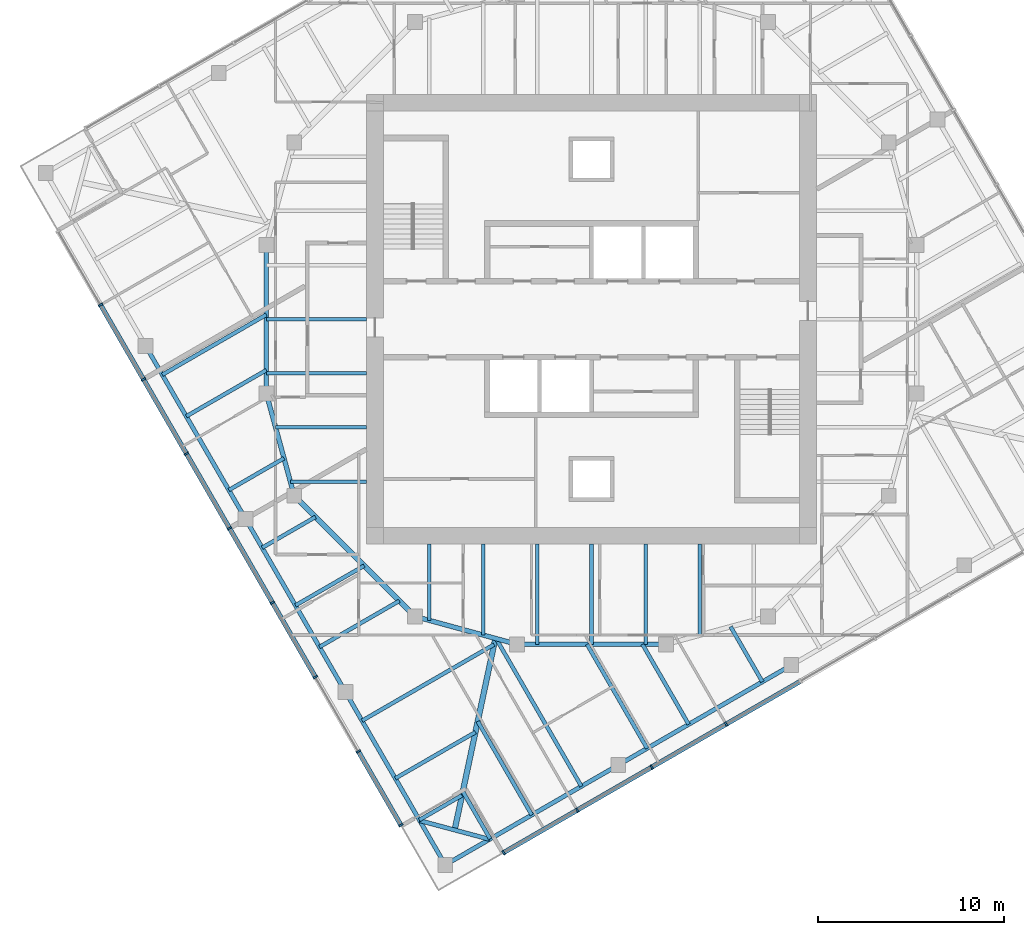
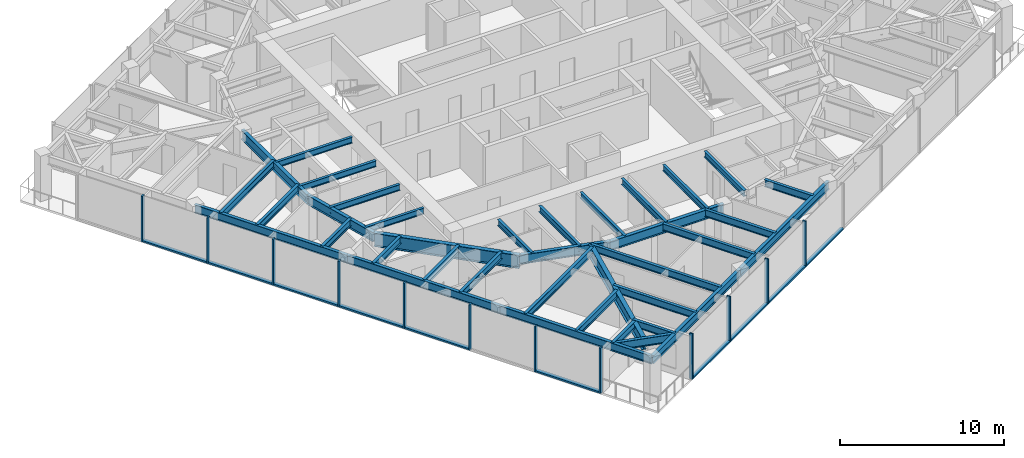
# One storey, part 2 of 13: 37 beams, 22 members, 2 elements without a shape of their own.
"""IFC4 building model written with IfcOpenShell, lengths in metres."""

from ifc_helpers import new_model, si_unit, direction, frame, origin, origin_2d, place, context, subcontext, project, spatial, rectangle, i_section, extrude, material, material_profile, profile_set, type_object, element, aggregate, save


model = new_model("IFC4")

# Units and contexts
model_context = context("Model", 3, precision=1e-05, world=origin(), true_north=direction((0.0, 1.0)))
body_context = subcontext(model_context, "Body", "Model", "MODEL_VIEW")
ifc_project = project(units=[si_unit("LENGTHUNIT", "METRE"), si_unit("AREAUNIT", "SQUARE_METRE"), si_unit("VOLUMEUNIT", "CUBIC_METRE"), si_unit("PLANEANGLEUNIT", "RADIAN"), si_unit("MASSUNIT", "GRAM", prefix="KILO")], contexts=[model_context])

# Site, building, storey
site_placement = place(None, origin())
site = spatial("IfcSite", under=ifc_project, at=site_placement, CompositionType="ELEMENT")
building_placement = place(site_placement, origin())
building = spatial("IfcBuilding", under=site, at=building_placement, Name="Torsade Residences", CompositionType="ELEMENT")
storey_placement = place(building_placement, frame((0.0, 0.0, 215.0)))
storey = spatial("IfcBuildingStorey", under=building, at=storey_placement, Name="L59", CompositionType="ELEMENT", Elevation=215.0)

# Beams
ifc_material_1 = material(Name="Steel grade 300", Category="steel")
ifc_material_profile_1 = material_profile(ifc_material_1, i_section(OverallWidth=0.300048828125, OverallDepth=0.89990234375, WebThickness=0.011962890625, FlangeThickness=0.02490234375, at=origin_2d()), Name="900WB175")
ifc_profile_set_1 = profile_set([ifc_material_profile_1], Name="Steel grade 300")
beam_type_1 = type_object("IfcBeamType", Name="CORNER GIRDER 900WB175", PredefinedType="BEAM", material=ifc_profile_set_1)
beam_1_placement = place(storey_placement, frame((32.6337890625, 2.5087890625, 2.800048828125), z_axis=(0.20806427425, 0.978115155685, 0.0), x_axis=(-0.978115155685, 0.20806427425, 0.0)))
element("IfcBeam", 1, at=beam_1_placement, inside=storey, type_object=beam_type_1, Name="Corner girder 01 L60", PredefinedType="BEAM", context=body_context, shape_type="SweptSolid", body=[
    extrude(i_section(OverallWidth=0.300048828125, OverallDepth=0.89990234375, WebThickness=0.011962890625, FlangeThickness=0.02490234375, at=origin_2d()), origin(), (0.0, 0.0, 1.0), 10.541748046875),
])
ifc_material_2 = material(Name="Steel grade 300", Category="steel")
ifc_material_profile_2 = material_profile(ifc_material_2, i_section(OverallWidth=0.22802734375, OverallDepth=0.60205078125, WebThickness=0.010498046875, FlangeThickness=0.014892578125, FilletRadius=0.013916015625, at=origin_2d()), Name="610UB101")
ifc_profile_set_2 = profile_set([ifc_material_profile_2], Name="Steel grade 300")
beam_type_2 = type_object("IfcBeamType", Name="CORNER TRIMMER 610UB101", PredefinedType="BEAM", material=ifc_profile_set_2)
beam_2_placement = place(storey_placement, frame((34.511962890625, 2.00537109375, 2.948974609375), z_axis=(-0.965924794002, 0.258822897619, 0.0), x_axis=(-0.258822897619, -0.965924794002, 0.0)))
element("IfcBeam", 2, at=beam_2_placement, inside=storey, type_object=beam_type_2, Name="Corner trimmer 01 L60", PredefinedType="BEAM", context=body_context, shape_type="SweptSolid", body=[
    extrude(i_section(OverallWidth=0.22802734375, OverallDepth=0.60205078125, WebThickness=0.010498046875, FlangeThickness=0.014892578125, FilletRadius=0.013916015625, at=origin_2d()), origin(), (0.0, 0.0, 1.0), 3.88916015625),
])
ifc_material_3 = material(Name="Steel grade 300", Category="steel")
ifc_material_profile_3 = material_profile(ifc_material_3, i_section(OverallWidth=0.22900390625, OverallDepth=0.612060546875, WebThickness=0.011962890625, FlangeThickness=0.01953125, FilletRadius=0.013916015625, at=origin_2d()), Name="610UB125")
ifc_profile_set_3 = profile_set([ifc_material_profile_3], Name="Steel grade 300")
beam_type_3 = type_object("IfcBeamType", Name="EDGE BEAM 610UB125", PredefinedType="SPANDREL", material=ifc_profile_set_3)
for number, where, z_axis, x_axis, name in (
    (3, (32.13037109375, 0.63037109375, 2.944091796875), (0.866026365697, 0.499998333915, 0.0), (-0.499998333915, 0.866026365697, 0.0), "Edge beam 01 L60"),
    (4, (41.440185546875, 6.00537109375, 2.944091796875), (0.866026365697, 0.499998333915, 0.0), (-0.499998333915, 0.866026365697, 0.0), "Edge beam 02 L60"),
    (5, (16.00537109375, 28.559814453125, 2.944091796875), (0.499998333915, -0.866026365697, 0.0), (0.866026365697, 0.499998333915, 0.0), "Edge beam 14 L60"),
    (6, (21.38037109375, 19.25, 2.944091796875), (0.499998333915, -0.866026365697, 0.0), (0.866026365697, 0.499998333915, 0.0), "Edge beam 15 L60"),
    (7, (26.75537109375, 9.940185546875, 2.944091796875), (0.499998333915, -0.866026365697, 0.0), (0.866026365697, 0.499998333915, 0.0), "Edge beam 16 L60"),
):
    element("IfcBeam", number, at=place(storey_placement, frame(where, z_axis=z_axis, x_axis=x_axis)), inside=storey, type_object=beam_type_3, Name=name, PredefinedType="SPANDREL", context=body_context, shape_type="SweptSolid", body=[
        extrude(i_section(OverallWidth=0.22900390625, OverallDepth=0.612060546875, WebThickness=0.011962890625, FlangeThickness=0.01953125, FilletRadius=0.013916015625, at=origin_2d()), origin(), (0.0, 0.0, 1.0), 10.75),
    ])

# Curtain wall, members
ifc_material_4 = material(Name="Aluminium and glass", Category="aluminium")
curtain_wall_type = type_object("IfcCurtainWallType", Name="FRITTED GLASS CURTAIN WALL HIGH ZONE", PredefinedType="NOTDEFINED", material=ifc_material_4)
curtain_wall_1_placement = place(storey_placement, origin())
curtain_wall_1 = element("IfcCurtainWall", 8, at=curtain_wall_1_placement, inside=storey, type_object=curtain_wall_type, Name="Curtain wall L59 face 1", PredefinedType="NOTDEFINED")
ifc_material_5 = material(Name="Aluminium mullion", Category="aluminium")
ifc_material_profile_4 = material_profile(ifc_material_5, rectangle(XDim=0.25, YDim=0.10009765625, at=origin_2d()), Name="HIGH ZONE CURTAIN WALL MULLION 250x100")
ifc_profile_set_4 = profile_set([ifc_material_profile_4], Name="Aluminium mullion")
member_type_1 = type_object("IfcMemberType", Name="HIGH ZONE CURTAIN WALL MULLION 250x100", PredefinedType="MULLION", material=ifc_profile_set_4)
member_1_placement = place(storey_placement, frame((35.271728515625, 1.289306640625, 0.0), z_axis=(0.0, 0.0, 1.0), x_axis=(-0.499999999305, 0.866025404186, 0.0)))
member_1 = element("IfcMember", 9, at=member_1_placement, type_object=member_type_1, Name="Mullion 1", PredefinedType="MULLION", context=body_context, shape_type="SweptSolid", body=[
    extrude(rectangle(XDim=0.25, YDim=0.10009765625, at=origin_2d()), origin(), (0.0, 0.0, 1.0), 3.39990234375),
])
member_2_placement = place(storey_placement, frame((39.23388671875, 3.576904296875, 0.0), z_axis=(0.0, 0.0, 1.0), x_axis=(-0.499999999305, 0.866025404186, 0.0)))
member_2 = element("IfcMember", 10, at=member_2_placement, type_object=member_type_1, Name="Mullion 2", PredefinedType="MULLION", context=body_context, shape_type="SweptSolid", body=[
    extrude(rectangle(XDim=0.25, YDim=0.10009765625, at=origin_2d()), origin(), (0.0, 0.0, 1.0), 3.39990234375),
])
member_3_placement = place(storey_placement, frame((43.2392578125, 5.889404296875, 0.0), z_axis=(0.0, 0.0, 1.0), x_axis=(-0.499999999305, 0.866025404186, 0.0)))
member_3 = element("IfcMember", 11, at=member_3_placement, type_object=member_type_1, Name="Mullion 3", PredefinedType="MULLION", context=body_context, shape_type="SweptSolid", body=[
    extrude(rectangle(XDim=0.25, YDim=0.10009765625, at=origin_2d()), origin(), (0.0, 0.0, 1.0), 3.39990234375),
])
member_4_placement = place(storey_placement, frame((47.24462890625, 8.201904296875, 0.0), z_axis=(0.0, 0.0, 1.0), x_axis=(-0.499999999305, 0.866025404186, 0.0)))
member_4 = element("IfcMember", 12, at=member_4_placement, type_object=member_type_1, Name="Mullion 4", PredefinedType="MULLION", context=body_context, shape_type="SweptSolid", body=[
    extrude(rectangle(XDim=0.25, YDim=0.10009765625, at=origin_2d()), origin(), (0.0, 0.0, 1.0), 3.39990234375),
])

curtain_wall_2_placement = place(storey_placement, origin())
curtain_wall_2 = element("IfcCurtainWall", 13, at=curtain_wall_2_placement, inside=storey, type_object=curtain_wall_type, Name="Curtain wall L59 face 10", PredefinedType="NOTDEFINED")
member_5_placement = place(storey_placement, frame((13.576904296875, 30.76611328125, 0.0), z_axis=(0.0, 0.0, 1.0), x_axis=(0.866025404186, 0.499999999305, 0.0)))
member_5 = element("IfcMember", 14, at=member_5_placement, type_object=member_type_1, Name="Mullion 2", PredefinedType="MULLION", context=body_context, shape_type="SweptSolid", body=[
    extrude(rectangle(XDim=0.25, YDim=0.10009765625, at=origin_2d()), origin(), (0.0, 0.0, 1.0), 3.39990234375),
])
member_6_placement = place(storey_placement, frame((15.889404296875, 26.7607421875, 0.0), z_axis=(0.0, 0.0, 1.0), x_axis=(0.866025404186, 0.499999999305, 0.0)))
member_6 = element("IfcMember", 15, at=member_6_placement, type_object=member_type_1, Name="Mullion 3", PredefinedType="MULLION", context=body_context, shape_type="SweptSolid", body=[
    extrude(rectangle(XDim=0.25, YDim=0.10009765625, at=origin_2d()), origin(), (0.0, 0.0, 1.0), 3.39990234375),
])
member_7_placement = place(storey_placement, frame((18.201904296875, 22.75537109375, 0.0), z_axis=(0.0, 0.0, 1.0), x_axis=(0.866025404186, 0.499999999305, 0.0)))
member_7 = element("IfcMember", 16, at=member_7_placement, type_object=member_type_1, Name="Mullion 4", PredefinedType="MULLION", context=body_context, shape_type="SweptSolid", body=[
    extrude(rectangle(XDim=0.25, YDim=0.10009765625, at=origin_2d()), origin(), (0.0, 0.0, 1.0), 3.39990234375),
])
member_8_placement = place(storey_placement, frame((20.514404296875, 18.75, 0.0), z_axis=(0.0, 0.0, 1.0), x_axis=(0.866025404186, 0.499999999305, 0.0)))
member_8 = element("IfcMember", 17, at=member_8_placement, type_object=member_type_1, Name="Mullion 5", PredefinedType="MULLION", context=body_context, shape_type="SweptSolid", body=[
    extrude(rectangle(XDim=0.25, YDim=0.10009765625, at=origin_2d()), origin(), (0.0, 0.0, 1.0), 3.39990234375),
])
member_9_placement = place(storey_placement, frame((22.826904296875, 14.74462890625, 0.0), z_axis=(0.0, 0.0, 1.0), x_axis=(0.866025404186, 0.499999999305, 0.0)))
member_9 = element("IfcMember", 18, at=member_9_placement, type_object=member_type_1, Name="Mullion 6", PredefinedType="MULLION", context=body_context, shape_type="SweptSolid", body=[
    extrude(rectangle(XDim=0.25, YDim=0.10009765625, at=origin_2d()), origin(), (0.0, 0.0, 1.0), 3.39990234375),
])
member_10_placement = place(storey_placement, frame((25.139404296875, 10.7392578125, 0.0), z_axis=(0.0, 0.0, 1.0), x_axis=(0.866025404186, 0.499999999305, 0.0)))
member_10 = element("IfcMember", 19, at=member_10_placement, type_object=member_type_1, Name="Mullion 7", PredefinedType="MULLION", context=body_context, shape_type="SweptSolid", body=[
    extrude(rectangle(XDim=0.25, YDim=0.10009765625, at=origin_2d()), origin(), (0.0, 0.0, 1.0), 3.39990234375),
])
member_11_placement = place(storey_placement, frame((27.451904296875, 6.73388671875, 0.0), z_axis=(0.0, 0.0, 1.0), x_axis=(0.866025404186, 0.499999999305, 0.0)))
member_11 = element("IfcMember", 20, at=member_11_placement, type_object=member_type_1, Name="Mullion 8", PredefinedType="MULLION", context=body_context, shape_type="SweptSolid", body=[
    extrude(rectangle(XDim=0.25, YDim=0.10009765625, at=origin_2d()), origin(), (0.0, 0.0, 1.0), 3.39990234375),
])
member_12_placement = place(storey_placement, frame((29.739501953125, 2.771728515625, 0.0), z_axis=(0.0, 0.0, 1.0), x_axis=(0.866025404186, 0.499999999305, 0.0)))
member_12 = element("IfcMember", 21, at=member_12_placement, type_object=member_type_1, Name="Mullion 9", PredefinedType="MULLION", context=body_context, shape_type="SweptSolid", body=[
    extrude(rectangle(XDim=0.25, YDim=0.10009765625, at=origin_2d()), origin(), (0.0, 0.0, 1.0), 3.39990234375),
])

# Member
ifc_material_6 = material(Name="Aluminium transom", Category="aluminium")
ifc_material_profile_5 = material_profile(ifc_material_6, rectangle(XDim=0.25, YDim=0.1201171875, at=origin_2d()), Name="HIGH ZONE CURTAIN WALL TRANSOM 250x120")
ifc_profile_set_5 = profile_set([ifc_material_profile_5], Name="Aluminium transom")
member_type_2 = type_object("IfcMemberType", Name="HIGH ZONE CURTAIN WALL TRANSOM 250x120", PredefinedType="USERDEFINED", material=ifc_profile_set_5)
member_13_placement = place(storey_placement, frame((35.315185546875, 1.314453125, 0.06005859375), z_axis=(0.866022053326, 0.50000580312, 0.0), x_axis=(-0.50000580312, 0.866022053326, 0.0)))
member_13 = element("IfcMember", 22, at=member_13_placement, type_object=member_type_2, Name="Transom 1.1", ObjectType="TRANSOM", PredefinedType="USERDEFINED", context=body_context, shape_type="SweptSolid", body=[
    extrude(rectangle(XDim=0.25, YDim=0.1201171875, at=origin_2d()), origin(), (0.0, 0.0, 1.0), 4.47509765625),
])

member_14_placement = place(storey_placement, frame((39.277099609375, 3.601806640625, 0.06005859375), z_axis=(0.866016678684, 0.500015112013, 0.0), x_axis=(-0.500015112013, 0.866016678684, 0.0)))
member_14 = element("IfcMember", 23, at=member_14_placement, type_object=member_type_2, Name="Transom 2.1", ObjectType="TRANSOM", PredefinedType="USERDEFINED", context=body_context, shape_type="SweptSolid", body=[
    extrude(rectangle(XDim=0.25, YDim=0.1201171875, at=origin_2d()), origin(), (0.0, 0.0, 1.0), 4.525146484375),
])

member_15_placement = place(storey_placement, frame((43.282470703125, 5.914306640625, 0.06005859375), z_axis=(0.866016678684, 0.500015112013, 0.0), x_axis=(-0.500015112013, 0.866016678684, 0.0)))
member_15 = element("IfcMember", 24, at=member_15_placement, type_object=member_type_2, Name="Transom 3.1", ObjectType="TRANSOM", PredefinedType="USERDEFINED", context=body_context, shape_type="SweptSolid", body=[
    extrude(rectangle(XDim=0.25, YDim=0.1201171875, at=origin_2d()), origin(), (0.0, 0.0, 1.0), 4.525146484375),
])

member_16_placement = place(storey_placement, frame((47.287841796875, 8.226806640625, 0.06005859375), z_axis=(0.866016678684, 0.500015112013, 0.0), x_axis=(-0.500015112013, 0.866016678684, 0.0)))
member_16 = element("IfcMember", 25, at=member_16_placement, type_object=member_type_2, Name="Transom 4.1", ObjectType="TRANSOM", PredefinedType="USERDEFINED", context=body_context, shape_type="SweptSolid", body=[
    extrude(rectangle(XDim=0.25, YDim=0.1201171875, at=origin_2d()), origin(), (0.0, 0.0, 1.0), 4.525146484375),
])

aggregate(curtain_wall_1, [member_1, member_2, member_3, member_4, member_13, member_14, member_15, member_16])

member_17_placement = place(storey_placement, frame((13.601806640625, 30.722900390625, 0.06005859375), z_axis=(0.500015112013, -0.866016678684, 0.0), x_axis=(0.866016678684, 0.500015112013, 0.0)))
member_17 = element("IfcMember", 26, at=member_17_placement, type_object=member_type_2, Name="Transom 2.1", ObjectType="TRANSOM", PredefinedType="USERDEFINED", context=body_context, shape_type="SweptSolid", body=[
    extrude(rectangle(XDim=0.25, YDim=0.1201171875, at=origin_2d()), origin(), (0.0, 0.0, 1.0), 4.525146484375),
])

member_18_placement = place(storey_placement, frame((15.914306640625, 26.717529296875, 0.06005859375), z_axis=(0.500015112013, -0.866016678684, 0.0), x_axis=(0.866016678684, 0.500015112013, 0.0)))
member_18 = element("IfcMember", 27, at=member_18_placement, type_object=member_type_2, Name="Transom 3.1", ObjectType="TRANSOM", PredefinedType="USERDEFINED", context=body_context, shape_type="SweptSolid", body=[
    extrude(rectangle(XDim=0.25, YDim=0.1201171875, at=origin_2d()), origin(), (0.0, 0.0, 1.0), 4.525146484375),
])

member_19_placement = place(storey_placement, frame((18.226806640625, 22.712158203125, 0.06005859375), z_axis=(0.500015112013, -0.866016678684, 0.0), x_axis=(0.866016678684, 0.500015112013, 0.0)))
member_19 = element("IfcMember", 28, at=member_19_placement, type_object=member_type_2, Name="Transom 4.1", ObjectType="TRANSOM", PredefinedType="USERDEFINED", context=body_context, shape_type="SweptSolid", body=[
    extrude(rectangle(XDim=0.25, YDim=0.1201171875, at=origin_2d()), origin(), (0.0, 0.0, 1.0), 4.525146484375),
])

member_20_placement = place(storey_placement, frame((20.539306640625, 18.706787109375, 0.06005859375), z_axis=(0.500015112013, -0.866016678684, 0.0), x_axis=(0.866016678684, 0.500015112013, 0.0)))
member_20 = element("IfcMember", 29, at=member_20_placement, type_object=member_type_2, Name="Transom 5.1", ObjectType="TRANSOM", PredefinedType="USERDEFINED", context=body_context, shape_type="SweptSolid", body=[
    extrude(rectangle(XDim=0.25, YDim=0.1201171875, at=origin_2d()), origin(), (0.0, 0.0, 1.0), 4.525146484375),
])

member_21_placement = place(storey_placement, frame((22.851806640625, 14.701416015625, 0.06005859375), z_axis=(0.500015112013, -0.866016678684, 0.0), x_axis=(0.866016678684, 0.500015112013, 0.0)))
member_21 = element("IfcMember", 30, at=member_21_placement, type_object=member_type_2, Name="Transom 6.1", ObjectType="TRANSOM", PredefinedType="USERDEFINED", context=body_context, shape_type="SweptSolid", body=[
    extrude(rectangle(XDim=0.25, YDim=0.1201171875, at=origin_2d()), origin(), (0.0, 0.0, 1.0), 4.525146484375),
])

member_22_placement = place(storey_placement, frame((27.476806640625, 6.690673828125, 0.06005859375), z_axis=(0.50000580312, -0.866022053326, 0.0), x_axis=(0.866022053326, 0.50000580312, 0.0)))
member_22 = element("IfcMember", 31, at=member_22_placement, type_object=member_type_2, Name="Transom 8.1", ObjectType="TRANSOM", PredefinedType="USERDEFINED", context=body_context, shape_type="SweptSolid", body=[
    extrude(rectangle(XDim=0.25, YDim=0.1201171875, at=origin_2d()), origin(), (0.0, 0.0, 1.0), 4.47509765625),
])

aggregate(curtain_wall_2, [member_5, member_6, member_7, member_8, member_9, member_10, member_11, member_12, member_17, member_18, member_19, member_20, member_21, member_22])

# Beams
ifc_material_7 = material(Name="Steel grade 300", Category="steel")
ifc_material_profile_6 = material_profile(ifc_material_7, i_section(OverallWidth=0.18994140625, OverallDepth=0.4541015625, WebThickness=0.008544921875, FlangeThickness=0.0126953125, FilletRadius=0.011474609375, at=origin_2d()), Name="460UB67.1")
ifc_profile_set_6 = profile_set([ifc_material_profile_6], Name="Steel grade 300")
beam_type_4 = type_object("IfcBeamType", Name="INNER FLOOR BEAM 460UB67.1", PredefinedType="JOIST", material=ifc_profile_set_6)
beam_3_placement = place(storey_placement, frame((45.824951171875, 17.89990234375, 3.02294921875), z_axis=(0.0, -1.0, 0.0), x_axis=(1.0, 0.0, 0.0)))
element("IfcBeam", 32, at=beam_3_placement, inside=storey, type_object=beam_type_4, Name="Inner floor beam IS02 L60", PredefinedType="JOIST", context=body_context, shape_type="SweptSolid", body=[
    extrude(i_section(OverallWidth=0.18994140625, OverallDepth=0.4541015625, WebThickness=0.008544921875, FlangeThickness=0.0126953125, FilletRadius=0.011474609375, at=origin_2d()), origin(), (0.0, 0.0, 1.0), 4.902099609375),
])
for number, where, z_axis, x_axis, name in (
    (33, (42.91259765625, 17.89990234375, 3.02294921875), (0.0, -1.0, 0.0), (1.0, 0.0, 0.0), "Inner floor beam IS03 L60"),
    (34, (40.0, 17.89990234375, 3.02294921875), (0.0, -1.0, 0.0), (1.0, 0.0, 0.0), "Inner floor beam IS04 L60"),
    (35, (37.08740234375, 17.89990234375, 3.02294921875), (0.0, -1.0, 0.0), (1.0, 0.0, 0.0), "Inner floor beam IS05 L60"),
):
    element("IfcBeam", number, at=place(storey_placement, frame(where, z_axis=z_axis, x_axis=x_axis)), inside=storey, type_object=beam_type_4, Name=name, PredefinedType="JOIST", context=body_context, shape_type="SweptSolid", body=[
        extrude(i_section(OverallWidth=0.18994140625, OverallDepth=0.4541015625, WebThickness=0.008544921875, FlangeThickness=0.0126953125, FilletRadius=0.011474609375, at=origin_2d()), origin(), (0.0, 0.0, 1.0), 5.39990234375),
    ])
beam_4_placement = place(storey_placement, frame((34.175048828125, 17.89990234375, 3.02294921875), z_axis=(0.0, -1.0, 0.0), x_axis=(1.0, 0.0, 0.0)))
element("IfcBeam", 36, at=beam_4_placement, inside=storey, type_object=beam_type_4, Name="Inner floor beam IS06 L60", PredefinedType="JOIST", context=body_context, shape_type="SweptSolid", body=[
    extrude(i_section(OverallWidth=0.18994140625, OverallDepth=0.4541015625, WebThickness=0.008544921875, FlangeThickness=0.0126953125, FilletRadius=0.011474609375, at=origin_2d()), origin(), (0.0, 0.0, 1.0), 4.902099609375),
])
beam_5_placement = place(storey_placement, frame((31.262451171875, 17.89990234375, 3.02294921875), z_axis=(0.0, -1.0, 0.0), x_axis=(1.0, 0.0, 0.0)))
element("IfcBeam", 37, at=beam_5_placement, inside=storey, type_object=beam_type_4, Name="Inner floor beam IS07 L60", PredefinedType="JOIST", context=body_context, shape_type="SweptSolid", body=[
    extrude(i_section(OverallWidth=0.18994140625, OverallDepth=0.4541015625, WebThickness=0.008544921875, FlangeThickness=0.0126953125, FilletRadius=0.011474609375, at=origin_2d()), origin(), (0.0, 0.0, 1.0), 4.10791015625),
])
for number, where, z_axis, x_axis, name in (
    (38, (27.89990234375, 30.0, 3.02294921875), (-1.0, 0.0, 0.0), (0.0, -1.0, 0.0), "Inner floor beam IW04 L60"),
    (39, (27.89990234375, 27.08740234375, 3.02294921875), (-1.0, 0.0, 0.0), (0.0, -1.0, 0.0), "Inner floor beam IW05 L60"),
):
    element("IfcBeam", number, at=place(storey_placement, frame(where, z_axis=z_axis, x_axis=x_axis)), inside=storey, type_object=beam_type_4, Name=name, PredefinedType="JOIST", context=body_context, shape_type="SweptSolid", body=[
        extrude(i_section(OverallWidth=0.18994140625, OverallDepth=0.4541015625, WebThickness=0.008544921875, FlangeThickness=0.0126953125, FilletRadius=0.011474609375, at=origin_2d()), origin(), (0.0, 0.0, 1.0), 5.39990234375),
    ])
beam_6_placement = place(storey_placement, frame((27.89990234375, 24.175048828125, 3.02294921875), z_axis=(-1.0, 0.0, 0.0), x_axis=(0.0, -1.0, 0.0)))
element("IfcBeam", 40, at=beam_6_placement, inside=storey, type_object=beam_type_4, Name="Inner floor beam IW06 L60", PredefinedType="JOIST", context=body_context, shape_type="SweptSolid", body=[
    extrude(i_section(OverallWidth=0.18994140625, OverallDepth=0.4541015625, WebThickness=0.008544921875, FlangeThickness=0.0126953125, FilletRadius=0.011474609375, at=origin_2d()), origin(), (0.0, 0.0, 1.0), 4.902099609375),
])
beam_7_placement = place(storey_placement, frame((27.89990234375, 21.262451171875, 3.02294921875), z_axis=(-1.0, 0.0, 0.0), x_axis=(0.0, -1.0, 0.0)))
element("IfcBeam", 41, at=beam_7_placement, inside=storey, type_object=beam_type_4, Name="Inner floor beam IW07 L60", PredefinedType="JOIST", context=body_context, shape_type="SweptSolid", body=[
    extrude(i_section(OverallWidth=0.18994140625, OverallDepth=0.4541015625, WebThickness=0.008544921875, FlangeThickness=0.0126953125, FilletRadius=0.011474609375, at=origin_2d()), origin(), (0.0, 0.0, 1.0), 4.10791015625),
])
ifc_material_8 = material(Name="Steel grade 300", Category="steel")
ifc_material_profile_7 = material_profile(ifc_material_8, i_section(OverallWidth=0.300048828125, OverallDepth=1.0, WebThickness=0.01611328125, FlangeThickness=0.028076171875, at=origin_2d()), Name="1000WB215")
ifc_profile_set_7 = profile_set([ifc_material_profile_7], Name="Steel grade 300")
beam_type_5 = type_object("IfcBeamType", Name="RING CORNER GIRDER 1000WB215", PredefinedType="BEAM", material=ifc_profile_set_7)
beam_8_placement = place(storey_placement, frame((24.0, 20.5, 2.75), z_axis=(0.707106781187, -0.707106781187, 0.0), x_axis=(0.707106781187, 0.707106781187, 0.0)))
element("IfcBeam", 42, at=beam_8_placement, inside=storey, type_object=beam_type_5, Name="Ring girder IR11 L60", PredefinedType="BEAM", context=body_context, shape_type="SweptSolid", body=[
    extrude(i_section(OverallWidth=0.300048828125, OverallDepth=1.0, WebThickness=0.01611328125, FlangeThickness=0.028076171875, at=origin_2d()), origin(), (0.0, 0.0, 1.0), 9.1923828125),
])
ifc_material_9 = material(Name="Steel grade 300", Category="steel")
ifc_material_profile_8 = material_profile(ifc_material_9, i_section(OverallWidth=0.25, OverallDepth=0.699951171875, WebThickness=0.010009765625, FlangeThickness=0.02001953125, at=origin_2d()), Name="700WB130")
ifc_profile_set_8 = profile_set([ifc_material_profile_8], Name="Steel grade 300")
beam_type_6 = type_object("IfcBeamType", Name="RING GIRDER 700WB130", PredefinedType="BEAM", material=ifc_profile_set_8)
beam_9_placement = place(storey_placement, frame((22.5, 34.0, 2.89990234375), z_axis=(0.0, -1.0, 0.0), x_axis=(1.0, 0.0, 0.0)))
element("IfcBeam", 43, at=beam_9_placement, inside=storey, type_object=beam_type_6, Name="Ring girder IR09 L60", PredefinedType="BEAM", context=body_context, shape_type="SweptSolid", body=[
    extrude(i_section(OverallWidth=0.25, OverallDepth=0.699951171875, WebThickness=0.010009765625, FlangeThickness=0.02001953125, at=origin_2d()), origin(), (0.0, 0.0, 1.0), 8.0),
])
for number, where, z_axis, x_axis, name in (
    (44, (22.5, 26.0, 2.89990234375), (0.263117405792, -0.964763821238, 0.0), (0.964763821238, 0.263117405792, 0.0), "Ring girder IR10 L60"),
    (45, (30.5, 14.0, 2.89990234375), (0.964763821238, -0.263117405792, 0.0), (0.263117405792, 0.964763821238, 0.0), "Ring girder IR12 L60"),
):
    element("IfcBeam", number, at=place(storey_placement, frame(where, z_axis=z_axis, x_axis=x_axis)), inside=storey, type_object=beam_type_6, Name=name, PredefinedType="BEAM", context=body_context, shape_type="SweptSolid", body=[
        extrude(i_section(OverallWidth=0.25, OverallDepth=0.699951171875, WebThickness=0.010009765625, FlangeThickness=0.02001953125, at=origin_2d()), origin(), (0.0, 0.0, 1.0), 5.700927734375),
    ])
beam_10_placement = place(storey_placement, frame((36.0, 12.5, 2.89990234375), z_axis=(1.0, 0.0, 0.0), x_axis=(0.0, 1.0, 0.0)))
element("IfcBeam", 46, at=beam_10_placement, inside=storey, type_object=beam_type_6, Name="Ring girder IR13 L60", PredefinedType="BEAM", context=body_context, shape_type="SweptSolid", body=[
    extrude(i_section(OverallWidth=0.25, OverallDepth=0.699951171875, WebThickness=0.010009765625, FlangeThickness=0.02001953125, at=origin_2d()), origin(), (0.0, 0.0, 1.0), 8.0),
])
ifc_material_10 = material(Name="Steel grade 300", Category="steel")
ifc_material_profile_9 = material_profile(ifc_material_10, i_section(OverallWidth=0.208984375, OverallDepth=0.528076171875, WebThickness=0.009521484375, FlangeThickness=0.01318359375, FilletRadius=0.013916015625, at=origin_2d()), Name="530UB82.0")
ifc_profile_set_9 = profile_set([ifc_material_profile_9], Name="Steel grade 300")
beam_type_7 = type_object("IfcBeamType", Name="SECONDARY BEAM 530UB82.0", PredefinedType="JOIST", material=ifc_profile_set_9)
beam_11_placement = place(storey_placement, frame((34.548095703125, 2.0263671875, 2.986083984375), z_axis=(-0.500014013, 0.866017313224, 0.0), x_axis=(-0.866017313224, -0.500014013, 0.0)))
element("IfcBeam", 47, at=beam_11_placement, inside=storey, type_object=beam_type_7, Name="Floor beam FS01 L60", PredefinedType="JOIST", context=body_context, shape_type="SweptSolid", body=[
    extrude(i_section(OverallWidth=0.208984375, OverallDepth=0.528076171875, WebThickness=0.009521484375, FlangeThickness=0.01318359375, FilletRadius=0.013916015625, at=origin_2d()), origin(), (0.0, 0.0, 1.0), 2.94775390625),
])
beam_12_placement = place(storey_placement, frame((36.785400390625, 3.31787109375, 2.986083984375), z_axis=(-0.499990133118, 0.866031100357, 0.0), x_axis=(-0.866031100357, -0.499990133118, 0.0)))
element("IfcBeam", 48, at=beam_12_placement, inside=storey, type_object=beam_type_7, Name="Floor beam FS02 L60", PredefinedType="JOIST", context=body_context, shape_type="SweptSolid", body=[
    extrude(i_section(OverallWidth=0.208984375, OverallDepth=0.528076171875, WebThickness=0.009521484375, FlangeThickness=0.01318359375, FilletRadius=0.013916015625, at=origin_2d()), origin(), (0.0, 0.0, 1.0), 5.81591796875),
])
beam_13_placement = place(storey_placement, frame((39.45556640625, 4.859619140625, 2.986083984375), z_axis=(-0.500006393711, 0.866021712342, 0.0), x_axis=(-0.866021712342, -0.500006393711, 0.0)))
element("IfcBeam", 49, at=beam_13_placement, inside=storey, type_object=beam_type_7, Name="Floor beam FS03 L60", PredefinedType="JOIST", context=body_context, shape_type="SweptSolid", body=[
    extrude(i_section(OverallWidth=0.208984375, OverallDepth=0.528076171875, WebThickness=0.009521484375, FlangeThickness=0.01318359375, FilletRadius=0.013916015625, at=origin_2d()), origin(), (0.0, 0.0, 1.0), 9.1796875),
])
beam_14_placement = place(storey_placement, frame((42.991943359375, 6.9013671875, 2.986083984375), z_axis=(-0.500005767435, 0.866022073929, 0.0), x_axis=(-0.866022073929, -0.500005767435, 0.0)))
element("IfcBeam", 50, at=beam_14_placement, inside=storey, type_object=beam_type_7, Name="Floor beam FS04 L60", PredefinedType="JOIST", context=body_context, shape_type="SweptSolid", body=[
    extrude(i_section(OverallWidth=0.208984375, OverallDepth=0.528076171875, WebThickness=0.009521484375, FlangeThickness=0.01318359375, FilletRadius=0.013916015625, at=origin_2d()), origin(), (0.0, 0.0, 1.0), 6.46484375),
])
beam_15_placement = place(storey_placement, frame((45.22900390625, 8.19287109375, 2.986083984375), z_axis=(-0.499977414361, 0.866038443216, 0.0), x_axis=(-0.866038443216, -0.499977414361, 0.0)))
element("IfcBeam", 51, at=beam_15_placement, inside=storey, type_object=beam_type_7, Name="Floor beam FS05 L60", PredefinedType="JOIST", context=body_context, shape_type="SweptSolid", body=[
    extrude(i_section(OverallWidth=0.208984375, OverallDepth=0.528076171875, WebThickness=0.009521484375, FlangeThickness=0.01318359375, FilletRadius=0.013916015625, at=origin_2d()), origin(), (0.0, 0.0, 1.0), 4.973388671875),
])
beam_16_placement = place(storey_placement, frame((49.198486328125, 10.484619140625, 2.986083984375), z_axis=(-0.500041249073, 0.866001587311, 0.0), x_axis=(-0.866001587311, -0.500041249073, 0.0)))
element("IfcBeam", 52, at=beam_16_placement, inside=storey, type_object=beam_type_7, Name="Floor beam FS06 L60", PredefinedType="JOIST", context=body_context, shape_type="SweptSolid", body=[
    extrude(i_section(OverallWidth=0.208984375, OverallDepth=0.528076171875, WebThickness=0.009521484375, FlangeThickness=0.01318359375, FilletRadius=0.013916015625, at=origin_2d()), origin(), (0.0, 0.0, 1.0), 3.425048828125),
])
beam_17_placement = place(storey_placement, frame((16.9013671875, 27.008056640625, 2.986083984375), z_axis=(0.866022073929, 0.500005767435, 0.0), x_axis=(-0.500005767435, 0.866022073929, 0.0)))
element("IfcBeam", 53, at=beam_17_placement, inside=storey, type_object=beam_type_7, Name="Floor beam FW04 L60", PredefinedType="JOIST", context=body_context, shape_type="SweptSolid", body=[
    extrude(i_section(OverallWidth=0.208984375, OverallDepth=0.528076171875, WebThickness=0.009521484375, FlangeThickness=0.01318359375, FilletRadius=0.013916015625, at=origin_2d()), origin(), (0.0, 0.0, 1.0), 6.46484375),
])
beam_18_placement = place(storey_placement, frame((18.19287109375, 24.77099609375, 2.986083984375), z_axis=(0.866038443216, 0.499977414361, 0.0), x_axis=(-0.499977414361, 0.866038443216, 0.0)))
element("IfcBeam", 54, at=beam_18_placement, inside=storey, type_object=beam_type_7, Name="Floor beam FW05 L60", PredefinedType="JOIST", context=body_context, shape_type="SweptSolid", body=[
    extrude(i_section(OverallWidth=0.208984375, OverallDepth=0.528076171875, WebThickness=0.009521484375, FlangeThickness=0.01318359375, FilletRadius=0.013916015625, at=origin_2d()), origin(), (0.0, 0.0, 1.0), 4.973388671875),
])
beam_19_placement = place(storey_placement, frame((20.484619140625, 20.801513671875, 2.986083984375), z_axis=(0.866001587311, 0.500041249073, 0.0), x_axis=(-0.500041249073, 0.866001587311, 0.0)))
element("IfcBeam", 55, at=beam_19_placement, inside=storey, type_object=beam_type_7, Name="Floor beam FW06 L60", PredefinedType="JOIST", context=body_context, shape_type="SweptSolid", body=[
    extrude(i_section(OverallWidth=0.208984375, OverallDepth=0.528076171875, WebThickness=0.009521484375, FlangeThickness=0.01318359375, FilletRadius=0.013916015625, at=origin_2d()), origin(), (0.0, 0.0, 1.0), 3.425048828125),
])
beam_20_placement = place(storey_placement, frame((22.2763671875, 17.698486328125, 2.986083984375), z_axis=(0.866039541186, 0.499975512502, 0.0), x_axis=(-0.499975512502, 0.866039541186, 0.0)))
element("IfcBeam", 56, at=beam_20_placement, inside=storey, type_object=beam_type_7, Name="Floor beam FW07 L60", PredefinedType="JOIST", context=body_context, shape_type="SweptSolid", body=[
    extrude(i_section(OverallWidth=0.208984375, OverallDepth=0.528076171875, WebThickness=0.009521484375, FlangeThickness=0.01318359375, FilletRadius=0.013916015625, at=origin_2d()), origin(), (0.0, 0.0, 1.0), 3.312744140625),
])
beam_21_placement = place(storey_placement, frame((24.06787109375, 14.59521484375, 2.986083984375), z_axis=(0.866022880939, 0.500004369671, 0.0), x_axis=(-0.500004369671, 0.866022880939, 0.0)))
element("IfcBeam", 57, at=beam_21_placement, inside=storey, type_object=beam_type_7, Name="Floor beam FW08 L60", PredefinedType="JOIST", context=body_context, shape_type="SweptSolid", body=[
    extrude(i_section(OverallWidth=0.208984375, OverallDepth=0.528076171875, WebThickness=0.009521484375, FlangeThickness=0.01318359375, FilletRadius=0.013916015625, at=origin_2d()), origin(), (0.0, 0.0, 1.0), 4.27294921875),
])
beam_22_placement = place(storey_placement, frame((25.359619140625, 12.35791015625, 2.986083984375), z_axis=(0.866043933037, 0.49996790502, 0.0), x_axis=(-0.49996790502, 0.866043933037, 0.0)))
element("IfcBeam", 58, at=beam_22_placement, inside=storey, type_object=beam_type_7, Name="Floor beam FW09 L60", PredefinedType="JOIST", context=body_context, shape_type="SweptSolid", body=[
    extrude(i_section(OverallWidth=0.208984375, OverallDepth=0.528076171875, WebThickness=0.009521484375, FlangeThickness=0.01318359375, FilletRadius=0.013916015625, at=origin_2d()), origin(), (0.0, 0.0, 1.0), 4.965087890625),
])
beam_23_placement = place(storey_placement, frame((27.6513671875, 8.388671875, 2.986083984375), z_axis=(0.866030002502, 0.499992034702, 0.0), x_axis=(-0.499992034702, 0.866030002502, 0.0)))
element("IfcBeam", 59, at=beam_23_placement, inside=storey, type_object=beam_type_7, Name="Floor beam FW10 L60", PredefinedType="JOIST", context=body_context, shape_type="SweptSolid", body=[
    extrude(i_section(OverallWidth=0.208984375, OverallDepth=0.528076171875, WebThickness=0.009521484375, FlangeThickness=0.01318359375, FilletRadius=0.013916015625, at=origin_2d()), origin(), (0.0, 0.0, 1.0), 8.205322265625),
])
beam_24_placement = place(storey_placement, frame((29.44287109375, 5.285400390625, 2.986083984375), z_axis=(0.866043477274, 0.499968694491, 0.0), x_axis=(-0.499968694491, 0.866043477274, 0.0)))
element("IfcBeam", 60, at=beam_24_placement, inside=storey, type_object=beam_type_7, Name="Floor beam FW11 L60", PredefinedType="JOIST", context=body_context, shape_type="SweptSolid", body=[
    extrude(i_section(OverallWidth=0.208984375, OverallDepth=0.528076171875, WebThickness=0.009521484375, FlangeThickness=0.01318359375, FilletRadius=0.013916015625, at=origin_2d()), origin(), (0.0, 0.0, 1.0), 4.977783203125),
])
beam_25_placement = place(storey_placement, frame((30.734619140625, 3.048095703125, 2.986083984375), z_axis=(0.866041431316, 0.499972238474, 0.0), x_axis=(-0.499972238474, 0.866041431316, 0.0)))
element("IfcBeam", 61, at=beam_25_placement, inside=storey, type_object=beam_type_7, Name="Floor beam FW12 L60", PredefinedType="JOIST", context=body_context, shape_type="SweptSolid", body=[
    extrude(i_section(OverallWidth=0.208984375, OverallDepth=0.528076171875, WebThickness=0.009521484375, FlangeThickness=0.01318359375, FilletRadius=0.013916015625, at=origin_2d()), origin(), (0.0, 0.0, 1.0), 2.651123046875),
])

save(model, "model.ifc")
